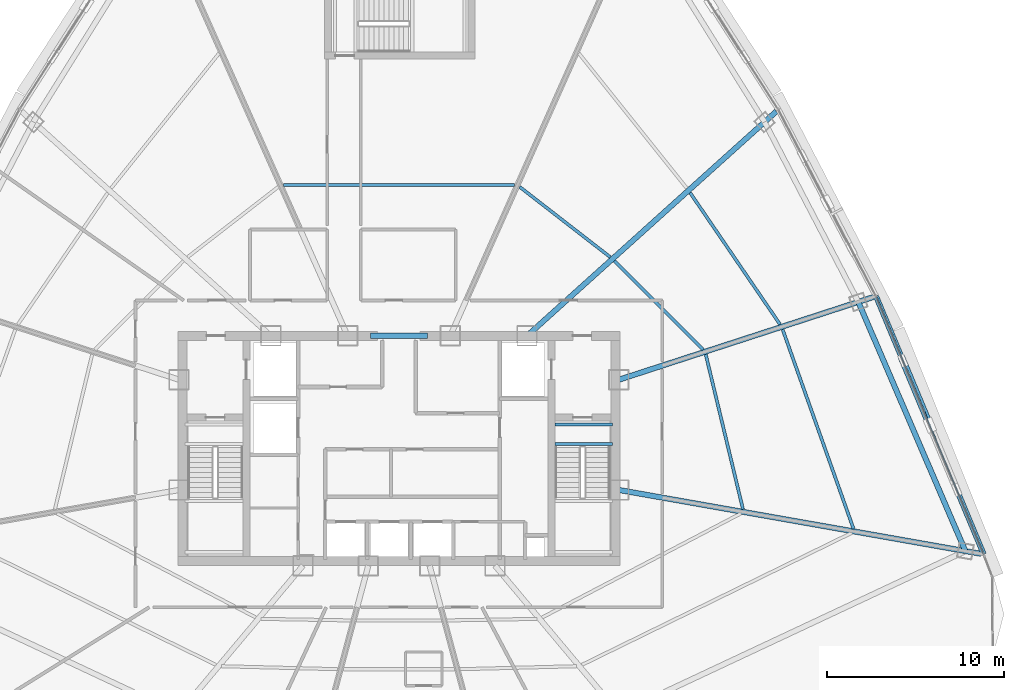
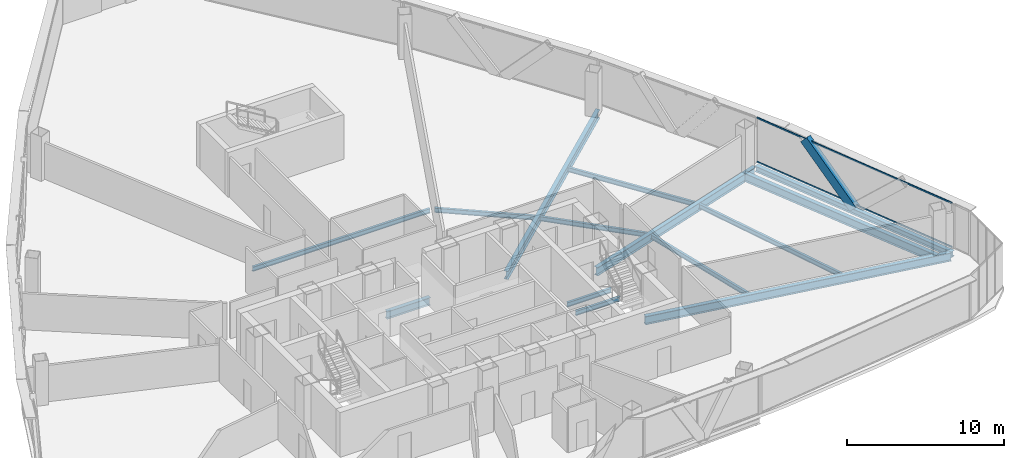
# One storey, part 14 of 36: 14 beams, 3 members, 1 element without a shape of its own.
"""IFC4 building model written with IfcOpenShell, lengths in metres."""

import ifcopenshell
import ifcopenshell.guid

model = None  # the IFC model being written
_history = None  # IfcOwnerHistory: only IFC2X3 demands one
_inside = {}  # id of a spatial element -> (the spatial element, [elements in it])
_under = {}  # id of a project, library or spatial element -> (it, [spatial elements below it])
_declared = {}  # id of a project -> (the project, [libraries it declares])
_typed = {}  # id of a type object -> (the type object, [elements of that type])
_made_of = {}  # id of a material, layer set ... -> (it, [elements and type objects made of it])


def new_model(schema):
    """Start an empty IFC model of exactly this schema.

    Asked for "IFC4X3", IfcOpenShell would pick the latest addendum, in which some entities
    have other attributes; the version numbers below select the first issue.
    IFC2X3 requires an IfcOwnerHistory on every rooted entity: one is made here for all.
    """
    global model, _history
    if schema == "IFC4X3":
        model = ifcopenshell.file(schema_version=(4, 3, 0, 0))
    else:
        model = ifcopenshell.file(schema=schema)
    _inside.clear()
    _under.clear()
    _declared.clear()
    _typed.clear()
    _made_of.clear()
    _history = None
    if model.schema == "IFC2X3":
        org = make("IfcOrganization", Name="unknown")
        user = make(
            "IfcPersonAndOrganization",
            ThePerson=make("IfcPerson", FamilyName="unknown"),
            TheOrganization=org,
        )
        app = make(
            "IfcApplication",
            ApplicationDeveloper=org,
            Version="unknown",
            ApplicationFullName="unknown",
            ApplicationIdentifier="unknown",
        )
        _history = make(
            "IfcOwnerHistory",
            OwningUser=user,
            OwningApplication=app,
            ChangeAction="ADDED",
            CreationDate=0,
        )
    return model


def make(cls, **values):
    """One entity of the class cls with the attributes given. An attribute that is None is left unset."""
    return model.create_entity(
        cls, **{name: value for name, value in values.items() if value is not None}
    )


def rooted(cls, **values):
    """An entity with a GlobalId (a new one), such as an element, a storey or a relation."""
    return make(cls, GlobalId=ifcopenshell.guid.new(), OwnerHistory=_history, **values)


def si_unit(unit_type, name, prefix=None):
    """IfcSIUnit, for example si_unit("LENGTHUNIT", "METRE", prefix="MILLI")."""
    return make("IfcSIUnit", UnitType=unit_type, Prefix=prefix, Name=name)


def assignment(units):
    """IfcUnitAssignment: the units of a project."""
    return None if units is None else make("IfcUnitAssignment", Units=units)


def point(xyz):
    """IfcCartesianPoint."""
    return None if xyz is None else make("IfcCartesianPoint", Coordinates=xyz)


def direction(xyz):
    """IfcDirection."""
    return None if xyz is None else make("IfcDirection", DirectionRatios=xyz)


def frame(location, z_axis=None, x_axis=None):
    """IfcAxis2Placement3D, a coordinate frame: its origin and axes. An axis left out is left unset."""
    return make(
        "IfcAxis2Placement3D",
        Location=point(location),
        Axis=direction(z_axis),
        RefDirection=direction(x_axis),
    )


def frame_2d(location, x_axis=None):
    """IfcAxis2Placement2D, a coordinate frame in the plane: its origin and x axis."""
    return make(
        "IfcAxis2Placement2D", Location=point(location), RefDirection=direction(x_axis)
    )


def origin():
    """The frame at (0, 0, 0) with its axes left unset."""
    return frame((0.0, 0.0, 0.0))


def origin_2d():
    """The frame at (0, 0) in the plane with its x axis left unset."""
    return frame_2d((0.0, 0.0))


def place(relative_to, where):
    """IfcLocalPlacement: puts the frame where relative to a parent placement (None: the world)."""
    return make(
        "IfcLocalPlacement", PlacementRelTo=relative_to, RelativePlacement=where
    )


def context(
    kind, dimensions, precision=None, world=None, true_north=None, identifier=None
):
    """IfcGeometricRepresentationContext, for example the 3D "Model" context."""
    return make(
        "IfcGeometricRepresentationContext",
        ContextIdentifier=identifier,
        ContextType=kind,
        CoordinateSpaceDimension=dimensions,
        Precision=precision,
        WorldCoordinateSystem=world,
        TrueNorth=true_north,
    )


def subcontext(parent, identifier, kind, view, scale=None):
    """IfcGeometricRepresentationSubContext, for example "Body" below "Model"."""
    return make(
        "IfcGeometricRepresentationSubContext",
        ContextIdentifier=identifier,
        ContextType=kind,
        ParentContext=parent,
        TargetScale=scale,
        TargetView=view,
    )


def project(units=None, contexts=None):
    """IfcProject with its units and contexts."""
    return rooted(
        "IfcProject",
        Name="project",
        RepresentationContexts=contexts,
        UnitsInContext=assignment(units),
    )


def spatial(cls, under=None, at=None, **own):
    """A site, building, storey or space (cls), placed at a placement, below another one or the project."""
    s = rooted(cls, ObjectPlacement=at, **own)
    if under is not None:
        _under.setdefault(under.id(), (under, []))[1].append(s)
    return s


def profile(cls, at=None, kind="AREA", **sizes):
    """A parametric profile (cls). Its sizes go by their IFC names, for example OverallWidth=200.0."""
    return make(cls, ProfileType=kind, Position=at, **sizes)


def hollow_rectangle(**sizes):
    """IfcRectangleHollowProfileDef."""
    return profile("IfcRectangleHollowProfileDef", **sizes)


def i_section(**sizes):
    """IfcIShapeProfileDef."""
    return profile("IfcIShapeProfileDef", **sizes)


def extrude(swept, where, along, depth):
    """IfcExtrudedAreaSolid: the profile swept, set in the frame where, extruded along a direction by depth."""
    return make(
        "IfcExtrudedAreaSolid",
        SweptArea=swept,
        Position=where,
        ExtrudedDirection=direction(along),
        Depth=depth,
    )


def shape(context_of_items, identifier, shape_type, items):
    """IfcShapeRepresentation: the items that make up one representation, for example the "Body"."""
    return make(
        "IfcShapeRepresentation",
        ContextOfItems=context_of_items,
        RepresentationIdentifier=identifier,
        RepresentationType=shape_type,
        Items=items,
    )


def source(mapping_origin, context_of_items, identifier, shape_type, items):
    """IfcRepresentationMap: a shape defined once, which mapped items show again and again."""
    return make(
        "IfcRepresentationMap",
        MappingOrigin=mapping_origin,
        MappedRepresentation=shape(context_of_items, identifier, shape_type, items),
    )


def transform(
    local_origin,
    x_axis=None,
    y_axis=None,
    z_axis=None,
    scale=None,
    scale2=None,
    scale3=None,
    uniform=True,
):
    """IfcCartesianTransformationOperator3D, or its non-uniform kind. x_axis, y_axis, z_axis: its Axis1, 2, 3."""
    if uniform:
        return make(
            "IfcCartesianTransformationOperator3D",
            Axis1=direction(x_axis),
            Axis2=direction(y_axis),
            LocalOrigin=point(local_origin),
            Scale=scale,
            Axis3=direction(z_axis),
        )
    return make(
        "IfcCartesianTransformationOperator3DnonUniform",
        Axis1=direction(x_axis),
        Axis2=direction(y_axis),
        LocalOrigin=point(local_origin),
        Scale=scale,
        Axis3=direction(z_axis),
        Scale2=scale2,
        Scale3=scale3,
    )


def mapped(mapping_source, mapping_target):
    """IfcMappedItem: shows the shape of a source again, moved by a transform."""
    return make(
        "IfcMappedItem", MappingSource=mapping_source, MappingTarget=mapping_target
    )


def material(Name=None, Category=None):
    """IfcMaterial."""
    return make("IfcMaterial", Name=Name, Category=Category)


def layer(
    of_material, thickness, ventilated=None, Name=None, Category=None, Priority=None
):
    """IfcMaterialLayer: one layer of a wall or slab, of a material (None: an air gap)."""
    return make(
        "IfcMaterialLayer",
        Material=of_material,
        LayerThickness=thickness,
        IsVentilated=ventilated,
        Name=Name,
        Category=Category,
        Priority=Priority,
    )


def layer_set(layers, Name=None):
    """IfcMaterialLayerSet."""
    return make("IfcMaterialLayerSet", MaterialLayers=layers, LayerSetName=Name)


def material_profile(
    of_material, cross_section, Name=None, Category=None, Priority=None
):
    """IfcMaterialProfile: a cross section and its material."""
    return make(
        "IfcMaterialProfile",
        Name=Name,
        Material=of_material,
        Profile=cross_section,
        Priority=Priority,
        Category=Category,
    )


def profile_set(profiles, Name=None, composite=None):
    """IfcMaterialProfileSet."""
    return make(
        "IfcMaterialProfileSet",
        Name=Name,
        MaterialProfiles=profiles,
        CompositeProfile=composite,
    )


def made_of(thing, what):
    """Note that an element or type object is made of a material, layer set ...; save() writes the relation."""
    if what is not None:
        _made_of.setdefault(what.id(), (what, []))[1].append(thing)
    return thing


def type_object(cls, material=None, **own):
    """A type object (cls), such as IfcWallType, which elements share."""
    return made_of(rooted(cls, **own), material)


def element(
    cls,
    number,
    at=None,
    inside=None,
    cuts=None,
    type_object=None,
    material=None,
    context=None,
    identifier="Body",
    shape_type=None,
    held_by="IfcProductDefinitionShape",
    body=None,
    shapes=None,
    **own,
):
    """One element of the class cls, such as IfcWall. Its Tag is "e" and its number.

    at: its placement. inside: the storey or other place that contains it. cuts: it is an
    opening in that element (IfcRelVoidsElement). A single representation is given by context,
    identifier, shape_type and body (its items); several are given by shapes. held_by: the class
    of the entity that holds the representations. save() writes the other relations.
    """
    e = rooted(cls, Tag="e%d" % number, ObjectPlacement=at, **own)
    if body is not None:
        shapes = [shape(context, identifier, shape_type, body)]
    if shapes is not None:
        e.Representation = make(held_by, Representations=shapes)
    if inside is not None:
        _inside.setdefault(inside.id(), (inside, []))[1].append(e)
    if cuts is not None:
        rooted(
            "IfcRelVoidsElement", RelatingBuildingElement=cuts, RelatedOpeningElement=e
        )
    if type_object is not None:
        _typed.setdefault(type_object.id(), (type_object, []))[1].append(e)
    return made_of(e, material)


def aggregate(whole, parts):
    """IfcRelAggregates: a whole, such as a stair, and the parts it consists of."""
    return rooted("IfcRelAggregates", RelatingObject=whole, RelatedObjects=parts)


def save(model, path):
    """Write the relations noted so far, then the file.

    IfcRelAggregates (storeys below a building ...), IfcRelContainedInSpatialStructure (elements
    in a storey), IfcRelDefinesByType, IfcRelAssociatesMaterial and IfcRelDeclares: one each for
    every whole, place, type object, material and project.
    """
    for whole, parts in _under.values():
        aggregate(whole, parts)
    for where, things in _inside.values():
        rooted(
            "IfcRelContainedInSpatialStructure",
            RelatedElements=things,
            RelatingStructure=where,
        )
    for kind, things in _typed.values():
        rooted("IfcRelDefinesByType", RelatedObjects=things, RelatingType=kind)
    for what, things in _made_of.values():
        rooted("IfcRelAssociatesMaterial", RelatedObjects=things, RelatingMaterial=what)
    for by, libraries in _declared.values():
        rooted("IfcRelDeclares", RelatingContext=by, RelatedDefinitions=libraries)
    model.write(path)


model = new_model("IFC4")

# Units and contexts
model_context = context("Model", 3, precision=1e-05, world=origin(), true_north=direction((0.0, 1.0)))
body_context = subcontext(model_context, "Body", "Model", "MODEL_VIEW")
ifc_project = project(units=[si_unit("LENGTHUNIT", "METRE"), si_unit("AREAUNIT", "SQUARE_METRE"), si_unit("VOLUMEUNIT", "CUBIC_METRE"), si_unit("PLANEANGLEUNIT", "RADIAN"), si_unit("MASSUNIT", "GRAM", prefix="KILO"), si_unit("THERMODYNAMICTEMPERATUREUNIT", "KELVIN"), si_unit("POWERUNIT", "WATT")], contexts=[model_context])

# Site, building, storey
site_placement = place(None, origin())
site = spatial("IfcSite", under=ifc_project, at=site_placement, CompositionType="ELEMENT")
building_placement = place(site_placement, origin())
building = spatial("IfcBuilding", under=site, at=building_placement, Name="Yunzhuo Pagoda Commons", CompositionType="ELEMENT")
storey_placement = place(building_placement, frame((0.0, 0.0, 263.179931640625)))
storey = spatial("IfcBuildingStorey", under=building, at=storey_placement, Name="L66", CompositionType="ELEMENT", Elevation=263.179931640625)

# Beams
ifc_material_1 = material(Name="Structural steel Q355B", Category="steel")
ifc_material_profile_1 = material_profile(ifc_material_1, i_section(OverallWidth=0.175048828125, OverallDepth=0.35009765625, WebThickness=0.007080078125, FlangeThickness=0.010986328125, at=origin_2d()), Name="Structural steel Q355B")
ifc_profile_set_1 = profile_set([ifc_material_profile_1], Name="Structural steel Q355B")
beam_type_1 = type_object("IfcBeamType", Name="B-JS2 Joist HN 350x175x7x11", PredefinedType="JOIST", material=ifc_profile_set_1)
shared_shape_1 = source(origin(), body_context, "Body", "SweptSolid", [
    extrude(i_section(OverallWidth=0.175048828125, OverallDepth=0.35009765625, WebThickness=0.007080078125, FlangeThickness=0.010986328125, at=origin_2d()), origin(), (0.0, 0.0, 1.0), 3.25),
])
for number, where, z_axis, x_axis, name in (
    (1, (56.800048828125, 34.10009765625, -0.375), (1.0, 0.0, 0.0), (0.0, 1.0, 0.0), "L66 ST2 landing support beam 170A"),
    (2, (56.800048828125, 35.199951171875, -0.375), (1.0, 0.0, 0.0), (0.0, 1.0, 0.0), "L66 ST2 landing support beam 170B"),
):
    element("IfcBeam", number, at=place(storey_placement, frame(where, z_axis=z_axis, x_axis=x_axis)), inside=storey, type_object=beam_type_1, Name=name, PredefinedType="JOIST", context=body_context, shape_type="MappedRepresentation", body=[
        mapped(shared_shape_1, transform((0.0, 0.0, 0.0), scale=1.0)),
    ])
ifc_material_2 = material(Name="Structural steel Q420B", Category="steel")
ifc_material_profile_2 = material_profile(ifc_material_2, i_section(OverallWidth=0.300048828125, OverallDepth=0.587890625, WebThickness=0.011962890625, FlangeThickness=0.02001953125, at=origin_2d()), Name="Structural steel Q420B")
ifc_profile_set_2 = profile_set([ifc_material_profile_2], Name="Structural steel Q420B")
beam_type_2 = type_object("IfcBeamType", Name="B-CPL Beam HM 588x300x12x20", PredefinedType="BEAM", material=ifc_profile_set_2)
shared_shape_2 = source(origin(), body_context, "Body", "SweptSolid", [
    extrude(i_section(OverallWidth=0.300048828125, OverallDepth=0.587890625, WebThickness=0.011962890625, FlangeThickness=0.02001953125, at=origin_2d()), origin(), (0.0, 0.0, 1.0), 3.2001953125),
])
beam_1_placement = place(storey_placement, frame((46.39990234375, 40.199951171875, -0.553955078125), z_axis=(1.0, 0.0, 0.0), x_axis=(0.0, 1.0, 0.0)))
element("IfcBeam", 3, at=beam_1_placement, inside=storey, type_object=beam_type_2, Name="L66 core coupling girder", PredefinedType="BEAM", context=body_context, shape_type="MappedRepresentation", body=[
    mapped(shared_shape_2, transform((0.0, 0.0, 0.0), scale=1.0)),
])
ifc_material_profile_3 = material_profile(ifc_material_1, i_section(OverallWidth=0.300048828125, OverallDepth=0.64990234375, WebThickness=0.012939453125, FlangeThickness=0.02197265625, at=origin_2d()), Name="Structural steel Q355B")
ifc_profile_set_3 = profile_set([ifc_material_profile_3], Name="Structural steel Q355B")
beam_type_3 = type_object("IfcBeamType", Name="B-RG2 Beam HN 650x300x13x22", PredefinedType="BEAM", material=ifc_profile_set_3)
shared_shape_3 = source(origin(), body_context, "Body", "SweptSolid", [
    extrude(i_section(OverallWidth=0.300048828125, OverallDepth=0.64990234375, WebThickness=0.012939453125, FlangeThickness=0.02197265625, at=origin_2d()), origin(), (0.0, 0.0, 1.0), 15.28759765625),
])
beam_2_placement = place(storey_placement, frame((79.93408203125, 28.069091796875, -0.5849609375), z_axis=(-0.394788372839, 0.918772083093, 0.0), x_axis=(-0.918772083093, -0.394788372839, 0.0)))
element("IfcBeam", 4, at=beam_2_placement, inside=storey, type_object=beam_type_3, Name="L66 column-ring beam 5", PredefinedType="BEAM", context=body_context, shape_type="MappedRepresentation", body=[
    mapped(shared_shape_3, transform((0.0, 0.0, 0.0), scale=1.0)),
])
shared_shape_4 = source(origin(), body_context, "Body", "SweptSolid", [
    extrude(i_section(OverallWidth=0.175048828125, OverallDepth=0.35009765625, WebThickness=0.007080078125, FlangeThickness=0.010986328125, at=origin_2d()), origin(), (0.0, 0.0, 1.0), 8.973876953125),
])
beam_3_placement = place(storey_placement, frame((67.395263671875, 30.42822265625, -0.434814453125), z_axis=(-0.233858589105, 0.972270620919, 0.0), x_axis=(-0.972270620919, -0.233858589105, 0.0)))
element("IfcBeam", 5, at=beam_3_placement, inside=storey, type_object=beam_type_1, Name="L66 composite ring joist 1.5", PredefinedType="JOIST", context=body_context, shape_type="MappedRepresentation", body=[
    mapped(shared_shape_4, transform((0.0, 0.0, 0.0), scale=1.0)),
])
shared_shape_5 = source(origin(), body_context, "Body", "SweptSolid", [
    extrude(i_section(OverallWidth=0.175048828125, OverallDepth=0.35009765625, WebThickness=0.007080078125, FlangeThickness=0.010986328125, at=origin_2d()), origin(), (0.0, 0.0, 1.0), 11.929931640625),
])
beam_4_placement = place(storey_placement, frame((73.6298828125, 29.3212890625, -0.434814453125), z_axis=(-0.335086374925, 0.942187413066, 0.0), x_axis=(-0.942187413066, -0.335086374925, 0.0)))
element("IfcBeam", 6, at=beam_4_placement, inside=storey, type_object=beam_type_1, Name="L66 composite ring joist 2.5", PredefinedType="JOIST", context=body_context, shape_type="MappedRepresentation", body=[
    mapped(shared_shape_5, transform((0.0, 0.0, 0.0), scale=1.0)),
])
shared_shape_6 = source(origin(), body_context, "Body", "SweptSolid", [
    extrude(i_section(OverallWidth=0.175048828125, OverallDepth=0.35009765625, WebThickness=0.007080078125, FlangeThickness=0.010986328125, at=origin_2d()), origin(), (0.0, 0.0, 1.0), 7.0732421875),
])
beam_5_placement = place(storey_placement, frame((65.147216796875, 39.42041015625, -0.434814453125), z_axis=(-0.706139657206, 0.708072584218, 0.0), x_axis=(-0.708072584218, -0.706139657206, 0.0)))
element("IfcBeam", 7, at=beam_5_placement, inside=storey, type_object=beam_type_1, Name="L66 composite ring joist 1.6", PredefinedType="JOIST", context=body_context, shape_type="MappedRepresentation", body=[
    mapped(shared_shape_6, transform((0.0, 0.0, 0.0), scale=1.0)),
])
shared_shape_7 = source(origin(), body_context, "Body", "SweptSolid", [
    extrude(i_section(OverallWidth=0.175048828125, OverallDepth=0.35009765625, WebThickness=0.007080078125, FlangeThickness=0.010986328125, at=origin_2d()), origin(), (0.0, 0.0, 1.0), 8.99365234375),
])
beam_6_placement = place(storey_placement, frame((69.4892578125, 40.8427734375, -0.434814453125), z_axis=(-0.564098900337, 0.825707230584, 0.0), x_axis=(-0.825707230584, -0.564098900337, 0.0)))
element("IfcBeam", 8, at=beam_6_placement, inside=storey, type_object=beam_type_1, Name="L66 composite ring joist 2.6", PredefinedType="JOIST", context=body_context, shape_type="MappedRepresentation", body=[
    mapped(shared_shape_7, transform((0.0, 0.0, 0.0), scale=1.0)),
])
shared_shape_8 = source(origin(), body_context, "Body", "SweptSolid", [
    extrude(i_section(OverallWidth=0.175048828125, OverallDepth=0.35009765625, WebThickness=0.007080078125, FlangeThickness=0.010986328125, at=origin_2d()), origin(), (0.0, 0.0, 1.0), 6.4677734375),
])
beam_7_placement = place(storey_placement, frame((59.914794921875, 44.638671875, -0.434814453125), z_axis=(-0.790160481991, 0.612900002202, 0.0), x_axis=(-0.612900002202, -0.790160481991, 0.0)))
element("IfcBeam", 9, at=beam_7_placement, inside=storey, type_object=beam_type_1, Name="L66 composite ring joist 1.7", PredefinedType="JOIST", context=body_context, shape_type="MappedRepresentation", body=[
    mapped(shared_shape_8, transform((0.0, 0.0, 0.0), scale=1.0)),
])
shared_shape_9 = source(origin(), body_context, "Body", "SweptSolid", [
    extrude(i_section(OverallWidth=0.175048828125, OverallDepth=0.35009765625, WebThickness=0.007080078125, FlangeThickness=0.010986328125, at=origin_2d()), origin(), (0.0, 0.0, 1.0), 13.0390625),
])
beam_8_placement = place(storey_placement, frame((54.51953125, 48.7001953125, -0.434814453125), z_axis=(-1.0, 0.0, 0.0), x_axis=(0.0, -1.0, 0.0)))
element("IfcBeam", 10, at=beam_8_placement, inside=storey, type_object=beam_type_1, Name="L66 composite ring joist 1.8", PredefinedType="JOIST", context=body_context, shape_type="MappedRepresentation", body=[
    mapped(shared_shape_9, transform((0.0, 0.0, 0.0), scale=1.0)),
])
shared_shape_10 = source(origin(), body_context, "Body", "SweptSolid", [
    extrude(i_section(OverallWidth=0.300048828125, OverallDepth=0.64990234375, WebThickness=0.012939453125, FlangeThickness=0.02197265625, at=origin_2d()), origin(), (0.0, 0.0, 1.0), 20.73046875),
])
beam_9_placement = place(storey_placement, frame((80.8154296875, 27.913818359375, -0.5849609375), z_axis=(-0.984809393914, 0.173638871396, 0.0), x_axis=(-0.173638871396, -0.984809393914, 0.0)))
element("IfcBeam", 11, at=beam_9_placement, inside=storey, type_object=beam_type_3, Name="L66 radial floor girder F2C1", PredefinedType="BEAM", context=body_context, shape_type="MappedRepresentation", body=[
    mapped(shared_shape_10, transform((0.0, 0.0, 0.0), scale=1.0)),
])
shared_shape_11 = source(origin(), body_context, "Body", "SweptSolid", [
    extrude(i_section(OverallWidth=0.300048828125, OverallDepth=0.64990234375, WebThickness=0.012939453125, FlangeThickness=0.02197265625, at=origin_2d()), origin(), (0.0, 0.0, 1.0), 15.08837890625),
])
beam_10_placement = place(storey_placement, frame((74.749755859375, 42.3916015625, -0.5849609375), z_axis=(-0.951055588919, -0.309019848532, 0.0), x_axis=(0.309019848532, -0.951055588919, 0.0)))
element("IfcBeam", 12, at=beam_10_placement, inside=storey, type_object=beam_type_3, Name="L66 radial floor girder F2C2", PredefinedType="BEAM", context=body_context, shape_type="MappedRepresentation", body=[
    mapped(shared_shape_11, transform((0.0, 0.0, 0.0), scale=1.0)),
])
shared_shape_12 = source(origin(), body_context, "Body", "SweptSolid", [
    extrude(i_section(OverallWidth=0.300048828125, OverallDepth=0.64990234375, WebThickness=0.012939453125, FlangeThickness=0.02197265625, at=origin_2d()), origin(), (0.0, 0.0, 1.0), 18.9169921875),
])
beam_11_placement = place(storey_placement, frame((69.277099609375, 52.85791015625, -0.5849609375), z_axis=(-0.743145246976, -0.669130138237, 0.0), x_axis=(0.669130138237, -0.743145246976, 0.0)))
element("IfcBeam", 13, at=beam_11_placement, inside=storey, type_object=beam_type_3, Name="L66 radial floor girder F2C3", PredefinedType="BEAM", context=body_context, shape_type="MappedRepresentation", body=[
    mapped(shared_shape_12, transform((0.0, 0.0, 0.0), scale=1.0)),
])
ifc_material_profile_4 = material_profile(ifc_material_1, i_section(OverallWidth=0.300048828125, OverallDepth=0.43994140625, WebThickness=0.010986328125, FlangeThickness=0.01806640625, at=origin_2d()), Name="Structural steel Q355B")
ifc_profile_set_4 = profile_set([ifc_material_profile_4], Name="Structural steel Q355B")
beam_type_4 = type_object("IfcBeamType", Name="B-SP2 Beam HM 440x300x11x18", PredefinedType="BEAM", material=ifc_profile_set_4)
shared_shape_13 = source(origin(), body_context, "Body", "SweptSolid", [
    extrude(i_section(OverallWidth=0.300048828125, OverallDepth=0.43994140625, WebThickness=0.010986328125, FlangeThickness=0.01806640625, at=origin_2d()), origin(), (0.0, 0.0, 1.0), 15.768310546875),
])
beam_12_placement = place(storey_placement, frame((80.968017578125, 27.88671875, -0.47998046875), z_axis=(-0.385002336269, 0.922915598019, 0.0), x_axis=(-0.922915598019, -0.385002336269, 0.0)))
element("IfcBeam", 14, at=beam_12_placement, inside=storey, type_object=beam_type_4, Name="L66 facade edge spandrel beam F2.1", PredefinedType="BEAM", context=body_context, shape_type="MappedRepresentation", body=[
    mapped(shared_shape_13, transform((0.0, 0.0, 0.0), scale=1.0)),
])

# Member
ifc_material_profile_5 = material_profile(ifc_material_1, hollow_rectangle(XDim=0.3798828125, YDim=0.719970703125, WallThickness=0.02001953125, at=origin_2d()), Name="Structural steel Q355B")
ifc_profile_set_5 = profile_set([ifc_material_profile_5], Name="Structural steel Q355B")
member_type_1 = type_object("IfcMemberType", Name="M-DL3 Brace BOX 720x380x20", PredefinedType="BRACE", material=ifc_profile_set_5)
shared_shape_14 = source(origin(), body_context, "Body", "SweptSolid", [
    extrude(hollow_rectangle(XDim=0.3798828125, YDim=0.719970703125, WallThickness=0.02001953125, at=origin_2d()), origin(), (0.0, 0.0, 1.0), 5.42724609375),
])
member_1_placement = place(storey_placement, frame((77.9326171875, 35.1630859375, -0.260009765625), z_axis=(-0.279668564735, 0.670403831468, 0.68727301464), x_axis=(-0.922913775124, -0.385006706029, 0.0)))
element("IfcMember", 15, at=member_1_placement, inside=storey, type_object=member_type_1, Name="L66 facade diamond brace F2.1R", PredefinedType="BRACE", context=body_context, shape_type="MappedRepresentation", body=[
    mapped(shared_shape_14, transform((0.0, 0.0, 0.0), scale=1.0)),
])

# Curtain wall, members
ifc_material_3 = material(Name="Anodized aluminium 6063-T6", Category="aluminium")
ifc_layer = layer(ifc_material_3, 0.139892578125)
ifc_layer_set = layer_set([ifc_layer], Name="Anodized aluminium 6063-T6")
curtain_wall_type = type_object("IfcCurtainWallType", Name="CW-HI High-Zone Ribbon Curtain Wall", PredefinedType="NOTDEFINED", material=ifc_layer_set)
curtain_wall_placement = place(storey_placement, origin())
curtain_wall = element("IfcCurtainWall", 16, at=curtain_wall_placement, inside=storey, type_object=curtain_wall_type, Name="L66 curtain wall CW-L66-F2B2", PredefinedType="NOTDEFINED")
ifc_material_profile_6 = material_profile(ifc_material_3, hollow_rectangle(XDim=0.054931640625, YDim=0.1201171875, WallThickness=0.00341796875, at=origin_2d()), Name="Anodized aluminium 6063-T6")
ifc_profile_set_6 = profile_set([ifc_material_profile_6], Name="Anodized aluminium 6063-T6")
member_type_2 = type_object("IfcMemberType", Name="CW-HI-T Transom RHS 120x55x3.5", PredefinedType="USERDEFINED", material=ifc_profile_set_6)
shared_shape_15 = source(origin(), body_context, "Body", "SweptSolid", [
    extrude(hollow_rectangle(XDim=0.054931640625, YDim=0.1201171875, WallThickness=0.00341796875, at=origin_2d()), origin(), (0.0, 0.0, 1.0), 15.648193359375),
])
member_2_placement = place(storey_placement, frame((80.945068359375, 27.942138671875, 0.02783203125), z_axis=(-0.385020809242, 0.92290789164, 0.0), x_axis=(-0.92290789164, -0.385020809242, 0.0)))
member_2 = element("IfcMember", 17, at=member_2_placement, type_object=member_type_2, Name="CW transom 1.1", ObjectType="TRANSOM", PredefinedType="USERDEFINED", context=body_context, shape_type="MappedRepresentation", body=[
    mapped(shared_shape_15, transform((0.0, 0.0, 0.0), scale=1.0)),
])
member_3_placement = place(storey_placement, frame((80.945068359375, 27.942138671875, 3.442626953125), z_axis=(-0.385020809242, 0.92290789164, 0.0), x_axis=(-0.92290789164, -0.385020809242, 0.0)))
member_3 = element("IfcMember", 18, at=member_3_placement, type_object=member_type_2, Name="CW transom 1.2", ObjectType="TRANSOM", PredefinedType="USERDEFINED", context=body_context, shape_type="MappedRepresentation", body=[
    mapped(shared_shape_15, transform((0.0, 0.0, 0.0), scale=1.0)),
])
aggregate(curtain_wall, [member_2, member_3])

save(model, "model.ifc")
